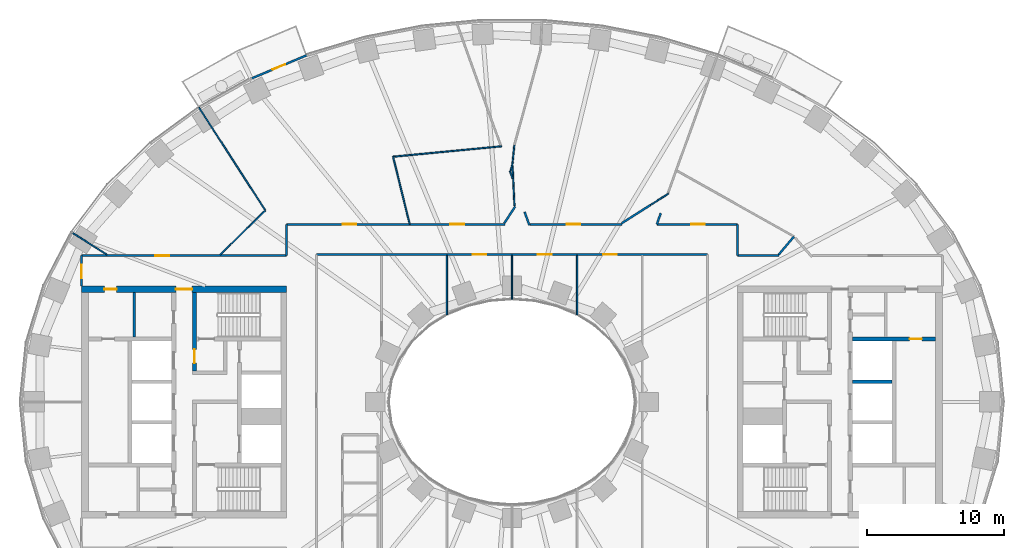
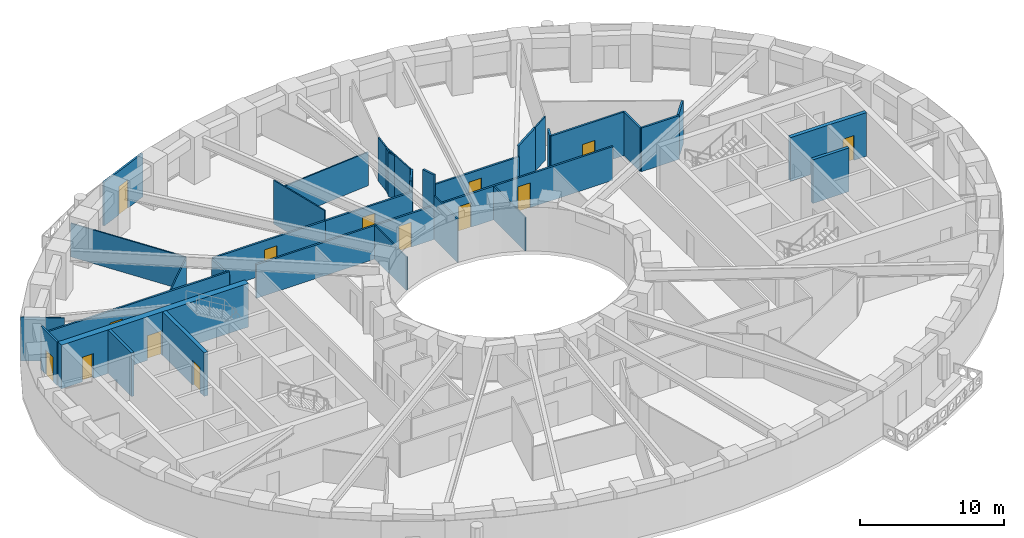
# One storey, part 6 of 15: 34 walls, 14 doors, 14 openings.
"""IFC4 building model written with IfcOpenShell, lengths in metres."""

from ifc_helpers import new_model, si_unit, direction, frame, frame_2d, origin, place, context, subcontext, project, spatial, rectangle, extrude, material, layer, layer_set, type_object, element, fill, save


model = new_model("IFC4")

# Units and contexts
model_context = context("Model", 3, precision=1e-05, world=origin(), true_north=direction((0.0, 1.0)))
body_context = subcontext(model_context, "Body", "Model", "MODEL_VIEW")
ifc_project = project(units=[si_unit("LENGTHUNIT", "METRE"), si_unit("AREAUNIT", "SQUARE_METRE"), si_unit("VOLUMEUNIT", "CUBIC_METRE"), si_unit("PLANEANGLEUNIT", "RADIAN"), si_unit("MASSUNIT", "GRAM", prefix="KILO")], contexts=[model_context])

# Site, building, storey
site_placement = place(None, origin())
site = spatial("IfcSite", under=ifc_project, at=site_placement, CompositionType="ELEMENT")
building_placement = place(site_placement, origin())
building = spatial("IfcBuilding", under=site, at=building_placement, Name="Noorbagh Ring Tower", CompositionType="ELEMENT")
storey_placement = place(building_placement, frame((0.0, 0.0, 50.5)))
storey = spatial("IfcBuildingStorey", under=building, at=storey_placement, Name="L10", CompositionType="ELEMENT", Elevation=50.5)

# Walls
ifc_material_1 = material(Name="Gypsum board on steel studs", Category="steel")
ifc_layer_1 = layer(ifc_material_1, 0.199951171875)
ifc_layer_set_1 = layer_set([ifc_layer_1], Name="Gypsum board on steel studs")
wall_type_1 = type_object("IfcWallType", Name="CORE-PARTITION-200", PredefinedType="PARTITIONING", material=ifc_layer_set_1)
wall_1_placement = place(storey_placement, frame((-27.64990234375, 4.75, 0.0), z_axis=(0.0, 0.0, 1.0), x_axis=(0.0, 1.0, 0.0)))
element("IfcWall", 1, at=wall_1_placement, inside=storey, type_object=wall_type_1, Name="Core partition W", PredefinedType="PARTITIONING", context=body_context, shape_type="SweptSolid", body=[
    extrude(rectangle(XDim=3.25, YDim=0.199951171875, at=frame_2d((1.625, 0.0))), origin(), (0.0, 0.0, 1.0), 3.699951171875),
])
ifc_material_2 = material(Name="Concrete C70/85", Category="concrete")
ifc_layer_2 = layer(ifc_material_2, 0.25)
ifc_layer_set_2 = layer_set([ifc_layer_2], Name="Concrete C70/85")
wall_type_2 = type_object("IfcWallType", Name="CORE-WALL-250-C70-85-EI120", PredefinedType="SHEAR", material=ifc_layer_set_2)
wall_2_placement = place(storey_placement, frame((24.89990234375, 1.47509765625, 0.0), z_axis=(0.0, 0.0, 1.0), x_axis=(1.0, 0.0, 0.0)))
element("IfcWall", 2, at=wall_2_placement, inside=storey, type_object=wall_type_2, Name="Core wall E", PredefinedType="SHEAR", context=body_context, shape_type="SweptSolid", body=[
    extrude(rectangle(XDim=2.900146484375, YDim=0.25, at=frame_2d((1.4501953125, 0.0))), origin(), (0.0, 0.0, 1.0), 3.699951171875),
])

# Wall, opening, door
ifc_material_3 = material(Name="Concrete C70/85", Category="concrete")
ifc_layer_3 = layer(ifc_material_3, 0.300048828125)
ifc_layer_set_3 = layer_set([ifc_layer_3], Name="Concrete C70/85")
wall_type_3 = type_object("IfcWallType", Name="CORE-WALL-300-C70-85-EI240", PredefinedType="SHEAR", material=ifc_layer_set_3)
wall_3_placement = place(storey_placement, frame((-23.22998046875, 2.25, 0.0), z_axis=(0.0, 0.0, 1.0), x_axis=(0.0, 1.0, 0.0)))
wall_3 = element("IfcWall", 3, at=wall_3_placement, inside=storey, type_object=wall_type_3, Name="Core wall W", PredefinedType="SHEAR", context=body_context, shape_type="SweptSolid", body=[
    extrude(rectangle(XDim=5.75, YDim=0.300048828125, at=frame_2d((2.875, 0.0))), origin(), (0.0, 0.0, 1.0), 3.699951171875),
])
opening_1_placement = place(wall_3_placement, frame((0.60009765625, 0.0, 0.0)))
opening_1 = element("IfcOpeningElement", 4, at=opening_1_placement, cuts=wall_3, Name="Opening L10-CW08", PredefinedType="OPENING", context=body_context, shape_type="SweptSolid", body=[
    extrude(rectangle(XDim=1.0, YDim=2.10009765625, at=frame_2d((0.5, 1.050048828125))), frame((0.0, 0.16015625, 0.0), z_axis=(0.0, -1.0, 0.0), x_axis=(1.0, 0.0, 0.0)), (0.0, 0.0, 1.0), 0.320068359375),
])
ifc_material_4 = material(Name="Steel door leaf", Category="steel")
door_type_1 = type_object("IfcDoorType", Name="CORE-DOOR-DVEST", OperationType="SINGLE_SWING_LEFT", PredefinedType="DOOR", material=ifc_material_4)
door_1_placement = place(opening_1_placement, origin())
door_1 = element("IfcDoor", 5, at=door_1_placement, inside=storey, type_object=door_type_1, Name="Stair vestibule door L10-CW08", OperationType="SINGLE_SWING_LEFT", OverallHeight=2.10009765625, OverallWidth=1.0, PredefinedType="DOOR", context=body_context, shape_type="SweptSolid", body=[
    extrude(rectangle(XDim=1.0, YDim=2.10009765625, at=frame_2d((0.5, 1.050048828125))), frame((0.0, 0.02490234375, 0.0), z_axis=(0.0, -1.0, 0.0), x_axis=(1.0, 0.0, 0.0)), (0.0, 0.0, 1.0), 0.050048828125),
])
fill(opening_1, door_1)

wall_4_placement = place(storey_placement, frame((24.89990234375, 4.60009765625, 0.0), z_axis=(0.0, 0.0, 1.0), x_axis=(1.0, 0.0, 0.0)))
wall_4 = element("IfcWall", 6, at=wall_4_placement, inside=storey, type_object=wall_type_3, Name="Core wall E", PredefinedType="SHEAR", context=body_context, shape_type="SweptSolid", body=[
    extrude(rectangle(XDim=6.10009765625, YDim=0.300048828125, at=frame_2d((3.050048828125, 0.0))), origin(), (0.0, 0.0, 1.0), 3.699951171875),
])
opening_2_placement = place(wall_4_placement, frame((4.199951171875, 0.0, 0.0)))
opening_2 = element("IfcOpeningElement", 7, at=opening_2_placement, cuts=wall_4, Name="Opening L10-CE18", PredefinedType="OPENING", context=body_context, shape_type="SweptSolid", body=[
    extrude(rectangle(XDim=0.89990234375, YDim=2.10009765625, at=frame_2d((0.449951171875, 1.050048828125))), frame((0.0, 0.16015625, 0.0), z_axis=(0.0, -1.0, 0.0), x_axis=(1.0, 0.0, 0.0)), (0.0, 0.0, 1.0), 0.320068359375),
])
ifc_material_5 = material(Name="Steel door leaf", Category="steel")
door_type_2 = type_object("IfcDoorType", Name="CORE-DOOR-DROOM", OperationType="SINGLE_SWING_LEFT", PredefinedType="DOOR", material=ifc_material_5)
door_2_placement = place(opening_2_placement, origin())
door_2 = element("IfcDoor", 8, at=door_2_placement, inside=storey, type_object=door_type_2, Name="Core room door L10-CE18", OperationType="SINGLE_SWING_RIGHT", OverallHeight=2.10009765625, OverallWidth=0.89990234375, PredefinedType="DOOR", context=body_context, shape_type="SweptSolid", body=[
    extrude(rectangle(XDim=0.89990234375, YDim=2.10009765625, at=frame_2d((0.449951171875, 1.050048828125))), frame((0.0, 0.02490234375, 0.0), z_axis=(0.0, -1.0, 0.0), x_axis=(1.0, 0.0, 0.0)), (0.0, 0.0, 1.0), 0.050048828125),
])
fill(opening_2, door_2)

# Wall, openings, doors
ifc_material_6 = material(Name="Concrete C70/85", Category="concrete")
ifc_layer_4 = layer(ifc_material_6, 0.5)
ifc_layer_set_4 = layer_set([ifc_layer_4], Name="Concrete C70/85")
wall_type_4 = type_object("IfcWallType", Name="CORE-WALL-500-C70-85-EI240", PredefinedType="SHEAR", material=ifc_layer_set_4)
wall_5_placement = place(storey_placement, frame((-16.5, 8.25, 0.0), z_axis=(0.0, 0.0, 1.0), x_axis=(-1.0, 0.0, 0.0)))
wall_5 = element("IfcWall", 9, at=wall_5_placement, inside=storey, type_object=wall_type_4, Name="Core wall W", PredefinedType="SHEAR", context=body_context, shape_type="SweptSolid", body=[
    extrude(rectangle(XDim=15.0, YDim=0.5, at=frame_2d((7.5, 0.0))), origin(), (0.0, 0.0, 1.0), 3.699951171875),
])
opening_3_placement = place(wall_5_placement, frame((6.89990234375, 0.0, 0.0)))
opening_3 = element("IfcOpeningElement", 10, at=opening_3_placement, cuts=wall_5, Name="Opening L10-CW09", PredefinedType="OPENING", context=body_context, shape_type="SweptSolid", body=[
    extrude(rectangle(XDim=1.199951171875, YDim=2.10009765625, at=frame_2d((0.60009765625, 1.050048828125))), frame((0.0, 0.260009765625, 0.0), z_axis=(0.0, -1.0, 0.0), x_axis=(1.0, 0.0, 0.0)), (0.0, 0.0, 1.0), 0.52001953125),
])
opening_4_placement = place(wall_5_placement, frame((12.425048828125, 0.0, 0.0)))
opening_4 = element("IfcOpeningElement", 11, at=opening_4_placement, cuts=wall_5, Name="Opening L10-CW13", PredefinedType="OPENING", context=body_context, shape_type="SweptSolid", body=[
    extrude(rectangle(XDim=0.89990234375, YDim=2.10009765625, at=frame_2d((0.449951171875, 1.050048828125))), frame((0.0, 0.260009765625, 0.0), z_axis=(0.0, -1.0, 0.0), x_axis=(1.0, 0.0, 0.0)), (0.0, 0.0, 1.0), 0.52001953125),
])
door_3_placement = place(opening_4_placement, origin())
door_3 = element("IfcDoor", 12, at=door_3_placement, inside=storey, type_object=door_type_2, Name="Core room door L10-CW13", OperationType="SINGLE_SWING_RIGHT", OverallHeight=2.10009765625, OverallWidth=0.89990234375, PredefinedType="DOOR", context=body_context, shape_type="SweptSolid", body=[
    extrude(rectangle(XDim=0.89990234375, YDim=2.10009765625, at=frame_2d((0.449951171875, 1.050048828125))), frame((0.0, 0.02490234375, 0.0), z_axis=(0.0, -1.0, 0.0), x_axis=(1.0, 0.0, 0.0)), (0.0, 0.0, 1.0), 0.050048828125),
])
fill(opening_4, door_3)
ifc_material_7 = material(Name="Steel door leaf", Category="steel")
door_type_3 = type_object("IfcDoorType", Name="CORE-DOOR-PORT", OperationType="DOUBLE_DOOR_DOUBLE_SWING", PredefinedType="DOOR", material=ifc_material_7)
door_4_placement = place(opening_3_placement, origin())
door_4 = element("IfcDoor", 13, at=door_4_placement, inside=storey, type_object=door_type_3, Name="Core entrance door L10-CW09", OperationType="DOUBLE_DOOR_DOUBLE_SWING", OverallHeight=2.10009765625, OverallWidth=1.199951171875, PredefinedType="DOOR", context=body_context, shape_type="SweptSolid", body=[
    extrude(rectangle(XDim=1.199951171875, YDim=2.10009765625, at=frame_2d((0.60009765625, 1.050048828125))), frame((0.0, 0.02490234375, 0.0), z_axis=(0.0, -1.0, 0.0), x_axis=(1.0, 0.0, 0.0)), (0.0, 0.0, 1.0), 0.050048828125),
])
fill(opening_3, door_4)

# Wall, opening, door
ifc_material_8 = material(Name="Gypsum board on steel studs", Category="steel")
ifc_layer_5 = layer(ifc_material_8, 0.14990234375)
ifc_layer_set_5 = layer_set([ifc_layer_5], Name="Gypsum board on steel studs")
wall_type_5 = type_object("IfcWallType", Name="CORRIDOR PARTITION 150 EI 30", PredefinedType="PARTITIONING", material=ifc_layer_set_5)
wall_6_placement = place(storey_placement, frame((-31.5, 8.5, 0.0), z_axis=(0.0, 0.0, 1.0), x_axis=(0.0, 1.0, 0.0)))
wall_6 = element("IfcWall", 14, at=wall_6_placement, inside=storey, type_object=wall_type_5, Name="L10/wall/P06", PredefinedType="PARTITIONING", context=body_context, shape_type="SweptSolid", body=[
    extrude(rectangle(XDim=2.199951171875, YDim=0.14990234375, at=frame_2d((1.10009765625, 0.0))), origin(), (0.0, 0.0, 1.0), 3.699951171875),
])
opening_5_placement = place(wall_6_placement, frame((0.550048828125, 0.0, 0.0)))
opening_5 = element("IfcOpeningElement", 15, at=opening_5_placement, cuts=wall_6, Name="Opening D1", PredefinedType="OPENING", context=body_context, shape_type="SweptSolid", body=[
    extrude(rectangle(XDim=1.0, YDim=2.10009765625, at=frame_2d((0.5, 1.050048828125))), frame((0.0, 0.0849609375, 0.0), z_axis=(0.0, -1.0, 0.0), x_axis=(1.0, 0.0, 0.0)), (0.0, 0.0, 1.0), 0.169921875),
])
ifc_material_9 = material(Name="Timber, painted", Category="wood")
door_type_4 = type_object("IfcDoorType", Name="DOOR 1000 X 2100 FD30", OperationType="SINGLE_SWING_LEFT", PredefinedType="DOOR", material=ifc_material_9)
door_5_placement = place(opening_5_placement, origin())
door_5 = element("IfcDoor", 16, at=door_5_placement, inside=storey, type_object=door_type_4, Name="L10-D07", OperationType="SINGLE_SWING_LEFT", OverallHeight=2.10009765625, OverallWidth=1.0, PredefinedType="DOOR", context=body_context, shape_type="SweptSolid", body=[
    extrude(rectangle(XDim=1.0, YDim=2.10009765625, at=frame_2d((0.5, 1.050048828125))), frame((0.0, 0.02490234375, 0.0), z_axis=(0.0, -1.0, 0.0), x_axis=(1.0, 0.0, 0.0)), (0.0, 0.0, 1.0), 0.050048828125),
])
fill(opening_5, door_5)

wall_7_placement = place(storey_placement, frame((-31.5, 10.699951171875, 0.0), z_axis=(0.0, 0.0, 1.0), x_axis=(1.0, 0.0, 0.0)))
wall_7 = element("IfcWall", 17, at=wall_7_placement, inside=storey, type_object=wall_type_5, Name="L10/wall/P07", PredefinedType="PARTITIONING", context=body_context, shape_type="SweptSolid", body=[
    extrude(rectangle(XDim=15.0, YDim=0.14990234375, at=frame_2d((7.5, 0.0))), origin(), (0.0, 0.0, 1.0), 3.10009765625),
])
opening_6_placement = place(wall_7_placement, frame((5.4140625, 0.0, 0.0)))
opening_6 = element("IfcOpeningElement", 18, at=opening_6_placement, cuts=wall_7, Name="Opening D1", PredefinedType="OPENING", context=body_context, shape_type="SweptSolid", body=[
    extrude(rectangle(XDim=1.0, YDim=2.10009765625, at=frame_2d((0.5, 1.050048828125))), frame((0.0, 0.0849609375, 0.0), z_axis=(0.0, -1.0, 0.0), x_axis=(1.0, 0.0, 0.0)), (0.0, 0.0, 1.0), 0.169921875),
])
door_6_placement = place(opening_6_placement, origin())
door_6 = element("IfcDoor", 19, at=door_6_placement, inside=storey, type_object=door_type_4, Name="L10-D09", OperationType="SINGLE_SWING_LEFT", OverallHeight=2.10009765625, OverallWidth=1.0, PredefinedType="DOOR", context=body_context, shape_type="SweptSolid", body=[
    extrude(rectangle(XDim=1.0, YDim=2.10009765625, at=frame_2d((0.5, 1.050048828125))), frame((0.0, 0.02490234375, 0.0), z_axis=(0.0, -1.0, 0.0), x_axis=(1.0, 0.0, 0.0)), (0.0, 0.0, 1.0), 0.050048828125),
])
fill(opening_6, door_6)

# Wall
wall_8_placement = place(storey_placement, frame((-16.5, 10.699951171875, 0.0), z_axis=(0.0, 0.0, 1.0), x_axis=(0.0, 1.0, 0.0)))
element("IfcWall", 20, at=wall_8_placement, inside=storey, type_object=wall_type_5, Name="L10/wall/P14", PredefinedType="PARTITIONING", context=body_context, shape_type="SweptSolid", body=[
    extrude(rectangle(XDim=2.300048828125, YDim=0.14990234375, at=frame_2d((1.14990234375, 0.0))), origin(), (0.0, 0.0, 1.0), 2.75),
])

# Wall, opening, door
wall_9_placement = place(storey_placement, frame((-16.5, 13.0, 0.0), z_axis=(0.0, 0.0, 1.0), x_axis=(1.0, 0.0, 0.0)))
wall_9 = element("IfcWall", 21, at=wall_9_placement, inside=storey, type_object=wall_type_5, Name="L10/wall/P15", PredefinedType="PARTITIONING", context=body_context, shape_type="SweptSolid", body=[
    extrude(rectangle(XDim=9.0009765625, YDim=0.14990234375, at=frame_2d((4.50048828125, 0.0))), origin(), (0.0, 0.0, 1.0), 2.85009765625),
])
opening_7_placement = place(wall_9_placement, frame((4.116943359375, 0.0, 0.0)))
opening_7 = element("IfcOpeningElement", 22, at=opening_7_placement, cuts=wall_9, Name="Opening D1", PredefinedType="OPENING", context=body_context, shape_type="SweptSolid", body=[
    extrude(rectangle(XDim=1.0, YDim=2.10009765625, at=frame_2d((0.5, 1.050048828125))), frame((0.0, 0.0849609375, 0.0), z_axis=(0.0, -1.0, 0.0), x_axis=(1.0, 0.0, 0.0)), (0.0, 0.0, 1.0), 0.169921875),
])
door_7_placement = place(opening_7_placement, origin())
door_7 = element("IfcDoor", 23, at=door_7_placement, inside=storey, type_object=door_type_4, Name="L10-D11", OperationType="SINGLE_SWING_LEFT", OverallHeight=2.10009765625, OverallWidth=1.0, PredefinedType="DOOR", context=body_context, shape_type="SweptSolid", body=[
    extrude(rectangle(XDim=1.0, YDim=2.10009765625, at=frame_2d((0.5, 1.050048828125))), frame((0.0, 0.02490234375, 0.0), z_axis=(0.0, -1.0, 0.0), x_axis=(1.0, 0.0, 0.0)), (0.0, 0.0, 1.0), 0.050048828125),
])
fill(opening_7, door_7)

# Wall, openings, doors
wall_10_placement = place(storey_placement, frame((-14.300048828125, 10.800048828125, 0.0), z_axis=(0.0, 0.0, 1.0), x_axis=(1.0, 0.0, 0.0)))
wall_10 = element("IfcWall", 24, at=wall_10_placement, inside=storey, type_object=wall_type_5, Name="L10/wall/P18", PredefinedType="PARTITIONING", context=body_context, shape_type="SweptSolid", body=[
    extrude(rectangle(XDim=28.60009765625, YDim=0.14990234375, at=frame_2d((14.300048828125, 0.0))), origin(), (0.0, 0.0, 1.0), 2.85009765625),
])
opening_8_placement = place(wall_10_placement, frame((11.43310546875, 0.0, 0.0)))
opening_8 = element("IfcOpeningElement", 25, at=opening_8_placement, cuts=wall_10, Name="Opening D1", PredefinedType="OPENING", context=body_context, shape_type="SweptSolid", body=[
    extrude(rectangle(XDim=1.0, YDim=2.10009765625, at=frame_2d((0.5, 1.050048828125))), frame((0.0, 0.0849609375, 0.0), z_axis=(0.0, -1.0, 0.0), x_axis=(1.0, 0.0, 0.0)), (0.0, 0.0, 1.0), 0.169921875),
])
opening_9_placement = place(wall_10_placement, frame((16.199951171875, 0.0, 0.0)))
opening_9 = element("IfcOpeningElement", 26, at=opening_9_placement, cuts=wall_10, Name="Opening D1", PredefinedType="OPENING", context=body_context, shape_type="SweptSolid", body=[
    extrude(rectangle(XDim=1.0, YDim=2.10009765625, at=frame_2d((0.5, 1.050048828125))), frame((0.0, 0.0849609375, 0.0), z_axis=(0.0, -1.0, 0.0), x_axis=(1.0, 0.0, 0.0)), (0.0, 0.0, 1.0), 0.169921875),
])
opening_10_placement = place(wall_10_placement, frame((20.967041015625, 0.0, 0.0)))
opening_10 = element("IfcOpeningElement", 27, at=opening_10_placement, cuts=wall_10, Name="Opening D1", PredefinedType="OPENING", context=body_context, shape_type="SweptSolid", body=[
    extrude(rectangle(XDim=1.0, YDim=2.10009765625, at=frame_2d((0.5, 1.050048828125))), frame((0.0, 0.0849609375, 0.0), z_axis=(0.0, -1.0, 0.0), x_axis=(1.0, 0.0, 0.0)), (0.0, 0.0, 1.0), 0.169921875),
])
door_8_placement = place(opening_8_placement, origin())
door_8 = element("IfcDoor", 28, at=door_8_placement, inside=storey, type_object=door_type_4, Name="L10-D22", OperationType="SINGLE_SWING_RIGHT", OverallHeight=2.10009765625, OverallWidth=1.0, PredefinedType="DOOR", context=body_context, shape_type="SweptSolid", body=[
    extrude(rectangle(XDim=1.0, YDim=2.10009765625, at=frame_2d((0.5, 1.050048828125))), frame((0.0, 0.02490234375, 0.0), z_axis=(0.0, -1.0, 0.0), x_axis=(1.0, 0.0, 0.0)), (0.0, 0.0, 1.0), 0.050048828125),
])
fill(opening_8, door_8)
door_9_placement = place(opening_9_placement, origin())
door_9 = element("IfcDoor", 29, at=door_9_placement, inside=storey, type_object=door_type_4, Name="L10-D24", OperationType="SINGLE_SWING_RIGHT", OverallHeight=2.10009765625, OverallWidth=1.0, PredefinedType="DOOR", context=body_context, shape_type="SweptSolid", body=[
    extrude(rectangle(XDim=1.0, YDim=2.10009765625, at=frame_2d((0.5, 1.050048828125))), frame((0.0, 0.02490234375, 0.0), z_axis=(0.0, -1.0, 0.0), x_axis=(1.0, 0.0, 0.0)), (0.0, 0.0, 1.0), 0.050048828125),
])
fill(opening_9, door_9)
door_10_placement = place(opening_10_placement, origin())
door_10 = element("IfcDoor", 30, at=door_10_placement, inside=storey, type_object=door_type_4, Name="L10-D25", OperationType="SINGLE_SWING_LEFT", OverallHeight=2.10009765625, OverallWidth=1.0, PredefinedType="DOOR", context=body_context, shape_type="SweptSolid", body=[
    extrude(rectangle(XDim=1.0, YDim=2.10009765625, at=frame_2d((0.5, 1.050048828125))), frame((0.0, 0.02490234375, 0.0), z_axis=(0.0, -1.0, 0.0), x_axis=(1.0, 0.0, 0.0)), (0.0, 0.0, 1.0), 0.050048828125),
])
fill(opening_10, door_10)

# Wall, opening, door
wall_11_placement = place(storey_placement, frame((-7.48291015625, 13.0, 0.0), z_axis=(0.0, 0.0, 1.0), x_axis=(1.0, 0.0, 0.0)))
wall_11 = element("IfcWall", 31, at=wall_11_placement, inside=storey, type_object=wall_type_5, Name="L10/wall/P33", PredefinedType="PARTITIONING", context=body_context, shape_type="SweptSolid", body=[
    extrude(rectangle(XDim=6.9599609375, YDim=0.14990234375, at=frame_2d((3.47998046875, 0.0))), origin(), (0.0, 0.0, 1.0), 2.85009765625),
])
opening_11_placement = place(wall_11_placement, frame((2.970947265625, 0.0, 0.0)))
opening_11 = element("IfcOpeningElement", 32, at=opening_11_placement, cuts=wall_11, Name="Opening D1", PredefinedType="OPENING", context=body_context, shape_type="SweptSolid", body=[
    extrude(rectangle(XDim=1.0, YDim=2.10009765625, at=frame_2d((0.5, 1.050048828125))), frame((0.0, 0.0849609375, 0.0), z_axis=(0.0, -1.0, 0.0), x_axis=(1.0, 0.0, 0.0)), (0.0, 0.0, 1.0), 0.169921875),
])
door_11_placement = place(opening_11_placement, origin())
door_11 = element("IfcDoor", 33, at=door_11_placement, inside=storey, type_object=door_type_4, Name="L10-D13", OperationType="SINGLE_SWING_LEFT", OverallHeight=2.10009765625, OverallWidth=1.0, PredefinedType="DOOR", context=body_context, shape_type="SweptSolid", body=[
    extrude(rectangle(XDim=1.0, YDim=2.10009765625, at=frame_2d((0.5, 1.050048828125))), frame((0.0, 0.02490234375, 0.0), z_axis=(0.0, -1.0, 0.0), x_axis=(1.0, 0.0, 0.0)), (0.0, 0.0, 1.0), 0.050048828125),
])
fill(opening_11, door_11)

# Walls
wall_12_placement = place(storey_placement, frame((-0.56396484375, 13.074951171875, 0.0), z_axis=(0.0, 0.0, 1.0), x_axis=(0.542961200627, 0.839757783301, 0.0)))
element("IfcWall", 34, at=wall_12_placement, inside=storey, type_object=wall_type_5, Name="L10/wall/P39", PredefinedType="PARTITIONING", context=body_context, shape_type="SweptSolid", body=[
    extrude(rectangle(XDim=1.4658203125, YDim=0.14990234375, at=frame_2d((0.73291015625, 0.0))), origin(), (0.0, 0.0, 1.0), 3.699951171875),
])
wall_13_placement = place(storey_placement, frame((0.9189453125, 13.908935546875, 0.0), z_axis=(0.0, 0.0, 1.0), x_axis=(0.338918653524, -0.94081568136, 0.0)))
element("IfcWall", 35, at=wall_13_placement, inside=storey, type_object=wall_type_5, Name="L10/wall/P53", PredefinedType="PARTITIONING", context=body_context, shape_type="SweptSolid", body=[
    extrude(rectangle(XDim=1.041748046875, YDim=0.14990234375, at=frame_2d((0.52099609375, 0.0))), origin(), (0.0, 0.0, 1.0), 3.699951171875),
])

# Wall, opening, door
wall_14_placement = place(storey_placement, frame((1.325927734375, 13.0, 0.0), z_axis=(0.0, 0.0, 1.0), x_axis=(1.0, 0.0, 0.0)))
wall_14 = element("IfcWall", 36, at=wall_14_placement, inside=storey, type_object=wall_type_5, Name="L10/wall/P55", PredefinedType="PARTITIONING", context=body_context, shape_type="SweptSolid", body=[
    extrude(rectangle(XDim=6.72119140625, YDim=0.14990234375, at=frame_2d((3.360595703125, 0.0))), origin(), (0.0, 0.0, 1.0), 2.85009765625),
])
opening_12_placement = place(wall_14_placement, frame((2.680908203125, 0.0, 0.0)))
opening_12 = element("IfcOpeningElement", 37, at=opening_12_placement, cuts=wall_14, Name="Opening D1", PredefinedType="OPENING", context=body_context, shape_type="SweptSolid", body=[
    extrude(rectangle(XDim=1.0, YDim=2.10009765625, at=frame_2d((0.5, 1.050048828125))), frame((0.0, 0.0849609375, 0.0), z_axis=(0.0, -1.0, 0.0), x_axis=(1.0, 0.0, 0.0)), (0.0, 0.0, 1.0), 0.169921875),
])
door_12_placement = place(opening_12_placement, origin())
door_12 = element("IfcDoor", 38, at=door_12_placement, inside=storey, type_object=door_type_4, Name="L10-D15", OperationType="SINGLE_SWING_LEFT", OverallHeight=2.10009765625, OverallWidth=1.0, PredefinedType="DOOR", context=body_context, shape_type="SweptSolid", body=[
    extrude(rectangle(XDim=1.0, YDim=2.10009765625, at=frame_2d((0.5, 1.050048828125))), frame((0.0, 0.02490234375, 0.0), z_axis=(0.0, -1.0, 0.0), x_axis=(1.0, 0.0, 0.0)), (0.0, 0.0, 1.0), 0.050048828125),
])
fill(opening_12, door_12)

# Walls
wall_15_placement = place(storey_placement, frame((8.028076171875, 13.076904296875, 0.0), z_axis=(0.0, 0.0, 1.0), x_axis=(0.844718865656, 0.53521027457, 0.0)))
element("IfcWall", 39, at=wall_15_placement, inside=storey, type_object=wall_type_5, Name="L10/wall/P61", PredefinedType="PARTITIONING", context=body_context, shape_type="SweptSolid", body=[
    extrude(rectangle(XDim=2.49658203125, YDim=0.14990234375, at=frame_2d((1.248291015625, 0.0))), origin(), (0.0, 0.0, 1.0), 3.699951171875),
])
wall_16_placement = place(storey_placement, frame((10.594970703125, 13.0, 0.0), z_axis=(0.0, 0.0, 1.0), x_axis=(0.338659506624, 0.940908995904, 0.0)))
element("IfcWall", 40, at=wall_16_placement, inside=storey, type_object=wall_type_5, Name="L10/wall/P66", PredefinedType="PARTITIONING", context=body_context, shape_type="SweptSolid", body=[
    extrude(rectangle(XDim=0.864990234375, YDim=0.14990234375, at=frame_2d((0.4326171875, 0.0))), origin(), (0.0, 0.0, 1.0), 3.699951171875),
])

# Wall, opening, door
wall_17_placement = place(storey_placement, frame((10.60693359375, 13.0, 0.0), z_axis=(0.0, 0.0, 1.0), x_axis=(1.0, 0.0, 0.0)))
wall_17 = element("IfcWall", 41, at=wall_17_placement, inside=storey, type_object=wall_type_5, Name="L10/wall/P68", PredefinedType="PARTITIONING", context=body_context, shape_type="SweptSolid", body=[
    extrude(rectangle(XDim=5.89306640625, YDim=0.14990234375, at=frame_2d((2.946533203125, 0.0))), origin(), (0.0, 0.0, 1.0), 3.699951171875),
])
opening_13_placement = place(wall_17_placement, frame((2.492919921875, 0.0, 0.0)))
opening_13 = element("IfcOpeningElement", 42, at=opening_13_placement, cuts=wall_17, Name="Opening D1", PredefinedType="OPENING", context=body_context, shape_type="SweptSolid", body=[
    extrude(rectangle(XDim=1.0, YDim=2.10009765625, at=frame_2d((0.5, 1.050048828125))), frame((0.0, 0.0849609375, 0.0), z_axis=(0.0, -1.0, 0.0), x_axis=(1.0, 0.0, 0.0)), (0.0, 0.0, 1.0), 0.169921875),
])
door_13_placement = place(opening_13_placement, origin())
door_13 = element("IfcDoor", 43, at=door_13_placement, inside=storey, type_object=door_type_4, Name="L10-D17", OperationType="SINGLE_SWING_LEFT", OverallHeight=2.10009765625, OverallWidth=1.0, PredefinedType="DOOR", context=body_context, shape_type="SweptSolid", body=[
    extrude(rectangle(XDim=1.0, YDim=2.10009765625, at=frame_2d((0.5, 1.050048828125))), frame((0.0, 0.02490234375, 0.0), z_axis=(0.0, -1.0, 0.0), x_axis=(1.0, 0.0, 0.0)), (0.0, 0.0, 1.0), 0.050048828125),
])
fill(opening_13, door_13)

# Walls
wall_18_placement = place(storey_placement, frame((16.5, 10.699951171875, 0.0), z_axis=(0.0, 0.0, 1.0), x_axis=(0.0, 1.0, 0.0)))
element("IfcWall", 44, at=wall_18_placement, inside=storey, type_object=wall_type_5, Name="L10/wall/P76", PredefinedType="PARTITIONING", context=body_context, shape_type="SweptSolid", body=[
    extrude(rectangle(XDim=2.300048828125, YDim=0.14990234375, at=frame_2d((1.14990234375, 0.0))), origin(), (0.0, 0.0, 1.0), 3.699951171875),
])
wall_19_placement = place(storey_placement, frame((16.5, 10.699951171875, 0.0), z_axis=(0.0, 0.0, 1.0), x_axis=(1.0, 0.0, 0.0)))
element("IfcWall", 45, at=wall_19_placement, inside=storey, type_object=wall_type_5, Name="L10/wall/P77", PredefinedType="PARTITIONING", context=body_context, shape_type="SweptSolid", body=[
    extrude(rectangle(XDim=3.04296875, YDim=0.14990234375, at=frame_2d((1.521484375, 0.0))), origin(), (0.0, 0.0, 1.0), 3.699951171875),
])
wall_20_placement = place(storey_placement, frame((19.510986328125, 10.778076171875, 0.0), z_axis=(0.0, 0.0, 1.0), x_axis=(0.646491141339, 0.762921492796, 0.0)))
element("IfcWall", 46, at=wall_20_placement, inside=storey, type_object=wall_type_5, Name="L10/wall/P79", PredefinedType="PARTITIONING", context=body_context, shape_type="SweptSolid", body=[
    extrude(rectangle(XDim=1.734130859375, YDim=0.14990234375, at=frame_2d((0.8671875, 0.0))), origin(), (0.0, 0.0, 1.0), 3.699951171875),
])

# Wall, opening, door
ifc_material_10 = material(Name="Insulated aluminium clad panel", Category="aluminium")
ifc_layer_6 = layer(ifc_material_10, 0.14990234375)
ifc_layer_set_6 = layer_set([ifc_layer_6], Name="Insulated aluminium clad panel")
wall_type_6 = type_object("IfcWallType", Name="ENV-WALL-DOOR", PredefinedType="STANDARD", material=ifc_layer_set_6)
wall_21_placement = place(storey_placement, frame((-15.017822265625, 25.368896484375, 0.0), z_axis=(0.0, 0.0, 1.0), x_axis=(-0.921816985161, -0.387625393736, 0.0)))
wall_21 = element("IfcWall", 47, at=wall_21_placement, inside=storey, type_object=wall_type_6, Name="Balcony door wall chord 16", PredefinedType="STANDARD", context=body_context, shape_type="SweptSolid", body=[
    extrude(rectangle(XDim=4.42578125, YDim=0.14990234375, at=frame_2d((2.212890625, 0.0))), origin(), (0.0, 0.0, 1.0), 3.699951171875),
])
opening_14_placement = place(wall_21_placement, frame((1.712890625, 0.0, 0.0)))
opening_14 = element("IfcOpeningElement", 48, at=opening_14_placement, cuts=wall_21, Name="Opening D-BL", PredefinedType="OPENING", context=body_context, shape_type="SweptSolid", body=[
    extrude(rectangle(XDim=1.0, YDim=2.39990234375, at=frame_2d((0.5, 1.199951171875))), frame((0.0, 0.0849609375, 0.0), z_axis=(0.0, -1.0, 0.0), x_axis=(1.0, 0.0, 0.0)), (0.0, 0.0, 1.0), 0.169921875),
])
ifc_material_11 = material(Name="Aluminium and glass", Category="aluminium")
door_type_5 = type_object("IfcDoorType", Name="ENV-DOOR-BALCONY", OperationType="SINGLE_SWING_LEFT", PredefinedType="DOOR", material=ifc_material_11)
door_14_placement = place(opening_14_placement, origin())
door_14 = element("IfcDoor", 49, at=door_14_placement, inside=storey, type_object=door_type_5, Name="Balcony door chord 16", OperationType="SINGLE_SWING_LEFT", OverallHeight=2.39990234375, OverallWidth=1.0, PredefinedType="DOOR", context=body_context, shape_type="SweptSolid", body=[
    extrude(rectangle(XDim=1.0, YDim=2.39990234375, at=frame_2d((0.5, 1.199951171875))), frame((0.0, 0.02490234375, 0.0), z_axis=(0.0, -1.0, 0.0), x_axis=(1.0, 0.0, 0.0)), (0.0, 0.0, 1.0), 0.050048828125),
])
fill(opening_14, door_14)

# Walls
ifc_material_12 = material(Name="Gypsum board on steel studs", Category="steel")
ifc_layer_7 = layer(ifc_material_12, 0.10009765625)
ifc_layer_set_7 = layer_set([ifc_layer_7], Name="Gypsum board on steel studs")
wall_type_7 = type_object("IfcWallType", Name="PARTITION 100 GYPSUM", PredefinedType="PARTITIONING", material=ifc_layer_set_7)
wall_22_placement = place(storey_placement, frame((-32.2119140625, 12.407958984375, 0.0), z_axis=(0.0, 0.0, 1.0), x_axis=(0.844810627195, -0.535065420467, 0.0)))
element("IfcWall", 50, at=wall_22_placement, inside=storey, type_object=wall_type_7, Name="L10/wall/P03", PredefinedType="PARTITIONING", context=body_context, shape_type="SweptSolid", body=[
    extrude(rectangle(XDim=3.0478515625, YDim=0.10009765625, at=frame_2d((1.52392578125, 0.0))), origin(), (0.0, 0.0, 1.0), 3.699951171875),
])
wall_23_placement = place(storey_placement, frame((-22.905029296875, 21.5419921875, 0.0), z_axis=(0.0, 0.0, 1.0), x_axis=(0.542241597628, -0.840222619192, 0.0)))
element("IfcWall", 51, at=wall_23_placement, inside=storey, type_object=wall_type_7, Name="L10/wall/P09", PredefinedType="PARTITIONING", context=body_context, shape_type="SweptSolid", body=[
    extrude(rectangle(XDim=8.966552734375, YDim=0.10009765625, at=frame_2d((4.4833984375, 0.0))), origin(), (0.0, 0.0, 1.0), 2.85009765625),
])
wall_24_placement = place(storey_placement, frame((-21.362060546875, 10.778076171875, 0.0), z_axis=(0.0, 0.0, 1.0), x_axis=(0.716869759063, 0.697207105917, 0.0)))
element("IfcWall", 52, at=wall_24_placement, inside=storey, type_object=wall_type_7, Name="L10/wall/P11", PredefinedType="PARTITIONING", context=body_context, shape_type="SweptSolid", body=[
    extrude(rectangle(XDim=4.63134765625, YDim=0.10009765625, at=frame_2d((2.315673828125, 0.0))), origin(), (0.0, 0.0, 1.0), 2.75),
])
wall_25_placement = place(storey_placement, frame((-8.7041015625, 17.945068359375, 0.0), z_axis=(0.0, 0.0, 1.0), x_axis=(0.995439666097, 0.095393244838, 0.0)))
element("IfcWall", 53, at=wall_25_placement, inside=storey, type_object=wall_type_7, Name="L10/wall/P30", PredefinedType="PARTITIONING", context=body_context, shape_type="SweptSolid", body=[
    extrude(rectangle(XDim=7.987548828125, YDim=0.10009765625, at=frame_2d((3.99365234375, 0.0))), origin(), (0.0, 0.0, 1.0), 2.85009765625),
])
wall_26_placement = place(storey_placement, frame((-8.7041015625, 17.946044921875, 0.0), z_axis=(0.0, 0.0, 1.0), x_axis=(0.239704393154, -0.970845921814, 0.0)))
element("IfcWall", 54, at=wall_26_placement, inside=storey, type_object=wall_type_7, Name="L10/wall/P31", PredefinedType="PARTITIONING", context=body_context, shape_type="SweptSolid", body=[
    extrude(rectangle(XDim=5.094482421875, YDim=0.10009765625, at=frame_2d((2.54736328125, 0.0))), origin(), (0.0, 0.0, 1.0), 3.699951171875),
])
wall_27_placement = place(storey_placement, frame((-4.76708984375, 6.363037109375, 0.0), z_axis=(0.0, 0.0, 1.0), x_axis=(0.0, 1.0, 0.0)))
element("IfcWall", 55, at=wall_27_placement, inside=storey, type_object=wall_type_7, Name="L10/wall/P35", PredefinedType="PARTITIONING", context=body_context, shape_type="SweptSolid", body=[
    extrude(rectangle(XDim=4.362060546875, YDim=0.10009765625, at=frame_2d((2.18115234375, 0.0))), origin(), (0.0, 0.0, 1.0), 2.85009765625),
])
wall_28_placement = place(storey_placement, frame((-0.152099609375, 16.887939453125, 0.0), z_axis=(0.0, 0.0, 1.0), x_axis=(0.339185428329, -0.940719535892, 0.0)))
element("IfcWall", 56, at=wall_28_placement, inside=storey, type_object=wall_type_7, Name="L10/wall/P42", PredefinedType="PARTITIONING", context=body_context, shape_type="SweptSolid", body=[
    extrude(rectangle(XDim=0.5751953125, YDim=0.10009765625, at=frame_2d((0.28759765625, 0.0))), origin(), (0.0, 0.0, 1.0), 3.699951171875),
])
wall_29_placement = place(storey_placement, frame((-0.09912109375, 16.89208984375, 0.0), z_axis=(0.0, 0.0, 1.0), x_axis=(0.239223165208, 0.970964611728, 0.0)))
element("IfcWall", 57, at=wall_29_placement, inside=storey, type_object=wall_type_7, Name="L10/wall/P43", PredefinedType="PARTITIONING", context=body_context, shape_type="SweptSolid", body=[
    extrude(rectangle(XDim=0.694091796875, YDim=0.10009765625, at=frame_2d((0.34716796875, 0.0))), origin(), (0.0, 0.0, 1.0), 3.699951171875),
])
wall_30_placement = place(storey_placement, frame((0.0, 7.50390625, 0.0), z_axis=(0.0, 0.0, 1.0), x_axis=(0.0, 1.0, 0.0)))
element("IfcWall", 58, at=wall_30_placement, inside=storey, type_object=wall_type_7, Name="L10/wall/P45", PredefinedType="PARTITIONING", context=body_context, shape_type="SweptSolid", body=[
    extrude(rectangle(XDim=3.22119140625, YDim=0.10009765625, at=frame_2d((1.610595703125, 0.0))), origin(), (0.0, 0.0, 1.0), 3.699951171875),
])
wall_31_placement = place(storey_placement, frame((0.0400390625, 17.283935546875, 0.0), z_axis=(0.0, 0.0, 1.0), x_axis=(0.047505648741, -0.998870969314, 0.0)))
element("IfcWall", 59, at=wall_31_placement, inside=storey, type_object=wall_type_7, Name="L10/wall/P47", PredefinedType="PARTITIONING", context=body_context, shape_type="SweptSolid", body=[
    extrude(rectangle(XDim=2.92431640625, YDim=0.10009765625, at=frame_2d((1.462158203125, 0.0))), origin(), (0.0, 0.0, 1.0), 3.699951171875),
])
wall_32_placement = place(storey_placement, frame((0.0380859375, 17.47412109375, 0.0), z_axis=(0.0, 0.0, 1.0), x_axis=(0.100886401076, 0.99489795159, 0.0)))
element("IfcWall", 60, at=wall_32_placement, inside=storey, type_object=wall_type_7, Name="L10/wall/P49", PredefinedType="PARTITIONING", context=body_context, shape_type="SweptSolid", body=[
    extrude(rectangle(XDim=1.32861328125, YDim=0.10009765625, at=frame_2d((0.664306640625, 0.0))), origin(), (0.0, 0.0, 1.0), 3.699951171875),
])
wall_33_placement = place(storey_placement, frame((4.76708984375, 6.363037109375, 0.0), z_axis=(0.0, 0.0, 1.0), x_axis=(0.0, 1.0, 0.0)))
element("IfcWall", 61, at=wall_33_placement, inside=storey, type_object=wall_type_7, Name="L10/wall/P59", PredefinedType="PARTITIONING", context=body_context, shape_type="SweptSolid", body=[
    extrude(rectangle(XDim=4.362060546875, YDim=0.10009765625, at=frame_2d((2.18115234375, 0.0))), origin(), (0.0, 0.0, 1.0), 2.85009765625),
])
wall_34_placement = place(storey_placement, frame((10.136962890625, 14.4130859375, 0.0), z_axis=(0.0, 0.0, 1.0), x_axis=(0.844849680057, 0.535003755228, 0.0)))
element("IfcWall", 62, at=wall_34_placement, inside=storey, type_object=wall_type_7, Name="L10/wall/P64", PredefinedType="PARTITIONING", context=body_context, shape_type="SweptSolid", body=[
    extrude(rectangle(XDim=1.5625, YDim=0.10009765625, at=frame_2d((0.78125, 0.0))), origin(), (0.0, 0.0, 1.0), 3.699951171875),
])

save(model, "model.ifc")
